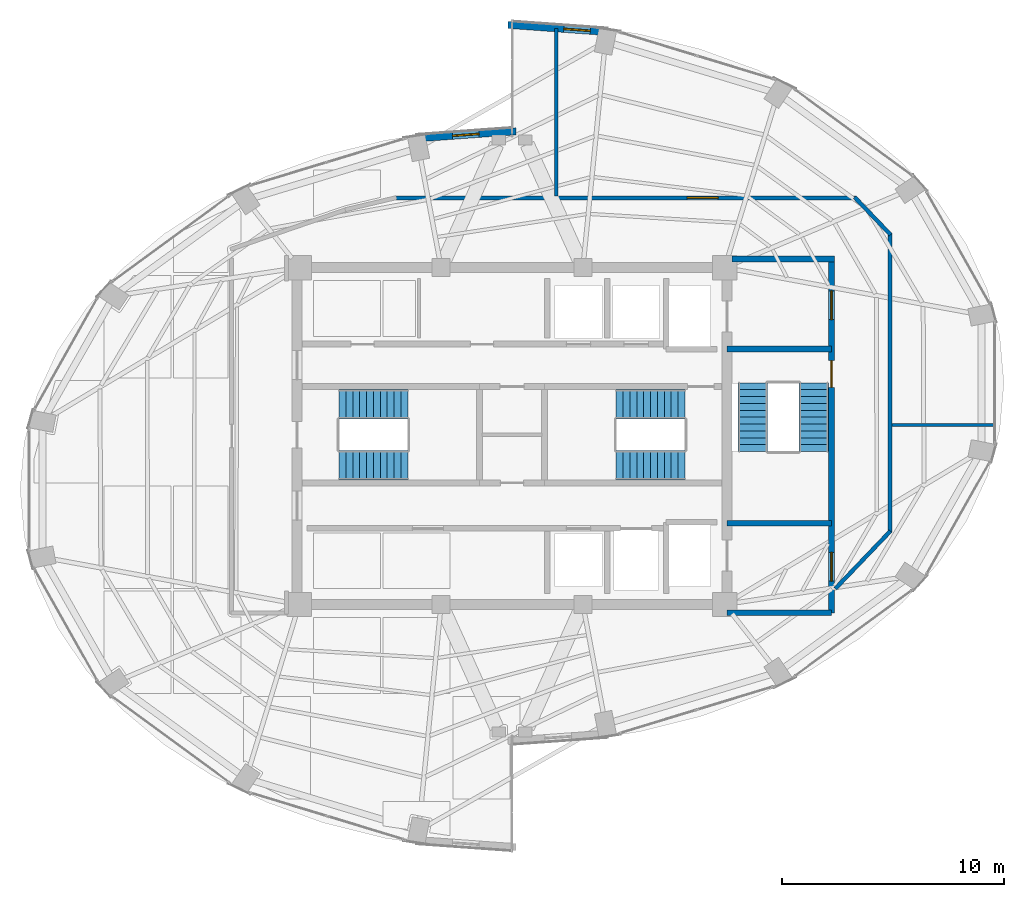
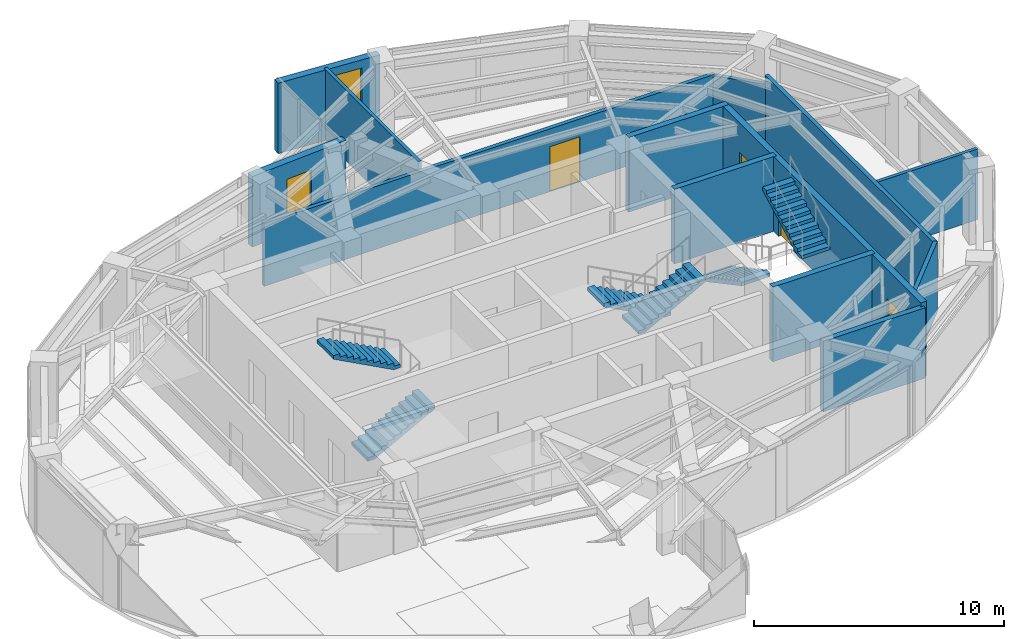
# One storey, part 20 of 22: 13 walls, 6 stair flights, 4 doors, 2 windows, 6 openings, 3 elements without a shape of their own.
"""IFC4 building model written with IfcOpenShell, lengths in metres."""

from ifc_helpers import new_model, si_unit, direction, frame, frame_2d, origin, place, context, subcontext, project, spatial, polyline, rectangle, outline, extrude, material, layer, layer_set, type_object, element, fill, aggregate, save


model = new_model("IFC4")

# Units and contexts
model_context = context("Model", 3, precision=1e-05, world=origin(), true_north=direction((0.0, 1.0)))
body_context = subcontext(model_context, "Body", "Model", "MODEL_VIEW")
ifc_project = project(units=[si_unit("LENGTHUNIT", "METRE"), si_unit("AREAUNIT", "SQUARE_METRE"), si_unit("VOLUMEUNIT", "CUBIC_METRE"), si_unit("PLANEANGLEUNIT", "RADIAN"), si_unit("MASSUNIT", "GRAM", prefix="KILO")], contexts=[model_context])

# Site, building, storey
site_placement = place(None, origin())
site = spatial("IfcSite", under=ifc_project, at=site_placement, CompositionType="ELEMENT")
building_placement = place(site_placement, origin())
building = spatial("IfcBuilding", under=site, at=building_placement, Name="Lazwardi Medical Tower", CompositionType="ELEMENT")
storey_placement = place(building_placement, frame((0.0, 0.0, 255.02392578125)))
storey = spatial("IfcBuildingStorey", under=building, at=storey_placement, Name="L66", CompositionType="ELEMENT", Elevation=255.02392578125)

# Wall, opening, door
ifc_material_1 = material(Name="Fire-rated gypsum board on steel stud", Category="steel")
ifc_layer_1 = layer(ifc_material_1, 0.179931640625)
ifc_layer_set_1 = layer_set([ifc_layer_1], Name="Fire-rated gypsum board on steel stud")
wall_type_1 = type_object("IfcWallType", Name="WL-COR-180", PredefinedType="PARTITIONING", material=ifc_layer_set_1)
wall_1_placement = place(storey_placement, frame((30.709716796875, 38.75, 0.0), z_axis=(0.0, 0.0, 1.0), x_axis=(1.0, 0.0, 0.0)))
wall_1 = element("IfcWall", 1, at=wall_1_placement, inside=storey, type_object=wall_type_1, Name="L66 Corridor partition 3", PredefinedType="PARTITIONING", context=body_context, shape_type="SweptSolid", body=[
    extrude(rectangle(XDim=20.8154296875, YDim=0.179931640625, at=frame_2d((10.40771484375, 0.0))), origin(), (0.0, 0.0, 1.0), 3.072998046875),
])
opening_1_placement = place(wall_1_placement, frame((13.19384765625, 0.0, 0.0)))
opening_1 = element("IfcOpeningElement", 2, at=opening_1_placement, cuts=wall_1, Name="Opening D-L66-011", PredefinedType="OPENING", context=body_context, shape_type="SweptSolid", body=[
    extrude(rectangle(XDim=1.39990234375, YDim=2.199951171875, at=frame_2d((0.699951171875, 1.10009765625))), frame((0.0, 0.099853515625, 0.0), z_axis=(0.0, -1.0, 0.0), x_axis=(1.0, 0.0, 0.0)), (0.0, 0.0, 1.0), 0.199951171875),
])
ifc_material_2 = material(Name="Anti-microbial laminate hospital leaf")
door_type_1 = type_object("IfcDoorType", Name="DR-BED-1400", OperationType="NOTDEFINED", PredefinedType="DOOR", material=ifc_material_2)
door_1_placement = place(opening_1_placement, origin())
door_1 = element("IfcDoor", 3, at=door_1_placement, inside=storey, type_object=door_type_1, Name="L66 Patient Day Lounge Door 02", OperationType="SINGLE_SWING_LEFT", OverallHeight=2.199951171875, OverallWidth=1.39990234375, PredefinedType="DOOR", context=body_context, shape_type="SweptSolid", body=[
    extrude(rectangle(XDim=1.39990234375, YDim=2.199951171875, at=frame_2d((0.699951171875, 1.10009765625))), frame((0.0, 0.02490234375, 0.0), z_axis=(0.0, -1.0, 0.0), x_axis=(1.0, 0.0, 0.0)), (0.0, 0.0, 1.0), 0.050048828125),
])
fill(opening_1, door_1)

# Walls
wall_2_placement = place(storey_placement, frame((51.45751953125, 38.77880859375, 0.0), z_axis=(0.0, 0.0, 1.0), x_axis=(0.691359830363, -0.722510612352, 0.0)))
element("IfcWall", 4, at=wall_2_placement, inside=storey, type_object=wall_type_1, Name="L66 Corridor partition 4", PredefinedType="PARTITIONING", context=body_context, shape_type="SweptSolid", body=[
    extrude(rectangle(XDim=2.34326171875, YDim=0.179931640625, at=frame_2d((1.171630859375, 0.0))), origin(), (0.0, 0.0, 1.0), 3.032958984375),
])
wall_3_placement = place(storey_placement, frame((53.050048828125, 37.154541015625, 0.0), z_axis=(0.0, 0.0, 1.0), x_axis=(0.0, -1.0, 0.0)))
element("IfcWall", 5, at=wall_3_placement, inside=storey, type_object=wall_type_1, Name="L66 Corridor partition 5", PredefinedType="PARTITIONING", context=body_context, shape_type="SweptSolid", body=[
    extrude(rectangle(XDim=13.509033203125, YDim=0.179931640625, at=frame_2d((6.75439453125, 0.0))), origin(), (0.0, 0.0, 1.0), 3.447998046875),
])
wall_4_placement = place(storey_placement, frame((53.07763671875, 23.71435546875, 0.0), z_axis=(0.0, 0.0, 1.0), x_axis=(-0.691353379446, -0.722516785085, 0.0)))
element("IfcWall", 6, at=wall_4_placement, inside=storey, type_object=wall_type_1, Name="L66 Corridor partition 6", PredefinedType="PARTITIONING", context=body_context, shape_type="SweptSolid", body=[
    extrude(rectangle(XDim=3.603759765625, YDim=0.179931640625, at=frame_2d((1.8017578125, 0.0))), origin(), (0.0, 0.0, 1.0), 3.447998046875),
])

# Wall, opening, window
ifc_material_3 = material(Name="Precast concrete C45/55", Category="concrete")
ifc_layer_2 = layer(ifc_material_3, 0.320068359375)
ifc_layer_set_2 = layer_set([ifc_layer_2], Name="Precast concrete C45/55")
wall_type_2 = type_object("IfcWallType", Name="WL-IWAN-320", PredefinedType="SOLIDWALL", material=ifc_layer_set_2)
wall_5_placement = place(storey_placement, frame((40.349609375, 46.226318359375, 0.0), z_axis=(0.0, 0.0, 1.0), x_axis=(-0.997409061056, 0.071938619141, 0.0)))
wall_5 = element("IfcWall", 7, at=wall_5_placement, inside=storey, type_object=wall_type_2, Name="L66 Iwan Portal Return Wall NE_ret", PredefinedType="SOLIDWALL", context=body_context, shape_type="SweptSolid", body=[
    extrude(rectangle(XDim=4.540771484375, YDim=0.320068359375, at=frame_2d((2.2705078125, 0.0))), origin(), (0.0, 0.0, 1.0), 3.447998046875),
])
opening_2_placement = place(wall_5_placement, frame((0.814697265625, 0.0, 0.85009765625)))
opening_2 = element("IfcOpeningElement", 8, at=opening_2_placement, cuts=wall_5, Name="Opening WN-01", PredefinedType="OPENING", context=body_context, shape_type="SweptSolid", body=[
    extrude(rectangle(XDim=1.199951171875, YDim=2.199951171875, at=frame_2d((0.60009765625, 1.10009765625))), frame((0.0, 0.169921875, 0.0), z_axis=(0.0, -1.0, 0.0), x_axis=(1.0, 0.0, 0.0)), (0.0, 0.0, 1.0), 0.340087890625),
])
ifc_material_4 = material(Name="Low-e bronze solar control double glazing", Category="glass")
window_type_1 = type_object("IfcWindowType", Name="WIN-IW-1200", PartitioningType="SINGLE_PANEL", PredefinedType="WINDOW", material=ifc_material_4)
window_1_placement = place(opening_2_placement, origin())
window_1 = element("IfcWindow", 9, at=window_1_placement, inside=storey, type_object=window_type_1, Name="L66 Iwan Slot Window NE_ret", OverallHeight=2.199951171875, OverallWidth=1.199951171875, PartitioningType="SINGLE_PANEL", PredefinedType="WINDOW", context=body_context, shape_type="SweptSolid", body=[
    extrude(rectangle(XDim=1.199951171875, YDim=2.199951171875, at=frame_2d((0.60009765625, 1.10009765625))), frame((0.0, 0.030029296875, 0.0), z_axis=(0.0, -1.0, 0.0), x_axis=(1.0, 0.0, 0.0)), (0.0, 0.0, 1.0), 0.06005859375),
])
fill(opening_2, window_1)

wall_6_placement = place(storey_placement, frame((36.17919921875, 41.7529296875, 0.0), z_axis=(0.0, 0.0, 1.0), x_axis=(-0.997408782787, -0.071942477163, 0.0)))
wall_6 = element("IfcWall", 10, at=wall_6_placement, inside=storey, type_object=wall_type_2, Name="L66 Iwan Portal Return Wall NW_ret", PredefinedType="SOLIDWALL", context=body_context, shape_type="SweptSolid", body=[
    extrude(rectangle(XDim=4.54052734375, YDim=0.320068359375, at=frame_2d((2.270263671875, 0.0))), origin(), (0.0, 0.0, 1.0), 3.447998046875),
])
opening_3_placement = place(wall_6_placement, frame((1.67041015625, 0.0, 0.85009765625)))
opening_3 = element("IfcOpeningElement", 11, at=opening_3_placement, cuts=wall_6, Name="Opening WN-04", PredefinedType="OPENING", context=body_context, shape_type="SweptSolid", body=[
    extrude(rectangle(XDim=1.199951171875, YDim=1.800048828125, at=frame_2d((0.60009765625, 0.89990234375))), frame((0.0, 0.169921875, 0.0), z_axis=(0.0, -1.0, 0.0), x_axis=(1.0, 0.0, 0.0)), (0.0, 0.0, 1.0), 0.340087890625),
])
window_type_2 = type_object("IfcWindowType", Name="WIN-DRUM-1200", PartitioningType="SINGLE_PANEL", PredefinedType="WINDOW", material=ifc_material_4)
window_2_placement = place(opening_3_placement, origin())
window_2 = element("IfcWindow", 12, at=window_2_placement, inside=storey, type_object=window_type_2, Name="L66 Iwan Slot Window NW_ret", OverallHeight=1.800048828125, OverallWidth=1.199951171875, PartitioningType="SINGLE_PANEL", PredefinedType="WINDOW", context=body_context, shape_type="SweptSolid", body=[
    extrude(rectangle(XDim=1.199951171875, YDim=1.800048828125, at=frame_2d((0.60009765625, 0.89990234375))), frame((0.0, 0.030029296875, 0.0), z_axis=(0.0, -1.0, 0.0), x_axis=(1.0, 0.0, 0.0)), (0.0, 0.0, 1.0), 0.06005859375),
])
fill(opening_3, window_2)

# Wall
ifc_material_5 = material(Name="Autoclaved aerated concrete blockwork", Category="masonry")
ifc_layer_3 = layer(ifc_material_5, 0.25)
ifc_layer_set_3 = layer_set([ifc_layer_3], Name="Autoclaved aerated concrete blockwork")
wall_type_3 = type_object("IfcWallType", Name="WL-SHAFT-250", PredefinedType="SOLIDWALL", material=ifc_layer_set_3)
wall_7_placement = place(storey_placement, frame((45.699951171875, 20.02001953125, 0.0), z_axis=(0.0, 0.0, 1.0), x_axis=(1.0, 0.0, 0.0)))
element("IfcWall", 13, at=wall_7_placement, inside=storey, type_object=wall_type_3, Name="L66 FFL-S South wall", PredefinedType="SOLIDWALL", context=body_context, shape_type="SweptSolid", body=[
    extrude(rectangle(XDim=4.715087890625, YDim=0.25, at=frame_2d((2.357421875, 0.0))), origin(), (0.0, 0.0, 1.0), 3.447998046875),
])

# Wall, openings, doors
ifc_material_6 = material(Name="Concrete C50/60", Category="concrete")
ifc_layer_4 = layer(ifc_material_6, 0.27001953125)
ifc_layer_set_4 = layer_set([ifc_layer_4], Name="Concrete C50/60")
wall_type_4 = type_object("IfcWallType", Name="WL-STR-250", PredefinedType="SHEAR", material=ifc_layer_set_4)
wall_8_placement = place(storey_placement, frame((50.4150390625, 35.844970703125, 0.0), z_axis=(0.0, 0.0, 1.0), x_axis=(0.0, -1.0, 0.0)))
wall_8 = element("IfcWall", 14, at=wall_8_placement, inside=storey, type_object=wall_type_4, Name="L66 East ST3 & FFL shear wall SW-S1", PredefinedType="SHEAR", context=body_context, shape_type="SweptSolid", body=[
    extrude(rectangle(XDim=15.824951171875, YDim=0.27001953125, at=frame_2d((7.91259765625, 0.0))), origin(), (0.0, 0.0, 1.0), 3.648193359375),
])
opening_4_placement = place(wall_8_placement, frame((4.445068359375, 0.0, 0.0)))
opening_4 = element("IfcOpeningElement", 15, at=opening_4_placement, cuts=wall_8, Name="Opening D-L66-014", PredefinedType="OPENING", context=body_context, shape_type="SweptSolid", body=[
    extrude(rectangle(XDim=1.199951171875, YDim=2.14990234375, at=frame_2d((0.60009765625, 1.074951171875))), frame((0.0, 0.14501953125, 0.0), z_axis=(0.0, -1.0, 0.0), x_axis=(1.0, 0.0, 0.0)), (0.0, 0.0, 1.0), 0.2900390625),
])
opening_5_placement = place(wall_8_placement, frame((1.294921875, 0.0, 0.0)))
opening_5 = element("IfcOpeningElement", 16, at=opening_5_placement, cuts=wall_8, Name="Opening D-L66-006", PredefinedType="OPENING", context=body_context, shape_type="SweptSolid", body=[
    extrude(rectangle(XDim=1.300048828125, YDim=2.199951171875, at=frame_2d((0.64990234375, 1.10009765625))), frame((0.0, 0.14501953125, 0.0), z_axis=(0.0, -1.0, 0.0), x_axis=(1.0, 0.0, 0.0)), (0.0, 0.0, 1.0), 0.2900390625),
])
opening_6_placement = place(wall_8_placement, frame((13.094970703125, 0.0, 0.0)))
opening_6 = element("IfcOpeningElement", 17, at=opening_6_placement, cuts=wall_8, Name="Opening D-L66-007", PredefinedType="OPENING", context=body_context, shape_type="SweptSolid", body=[
    extrude(rectangle(XDim=1.300048828125, YDim=2.199951171875, at=frame_2d((0.64990234375, 1.10009765625))), frame((0.0, 0.14501953125, 0.0), z_axis=(0.0, -1.0, 0.0), x_axis=(1.0, 0.0, 0.0)), (0.0, 0.0, 1.0), 0.2900390625),
])
ifc_material_7 = material(Name="Fire-rated steel leaf and frame", Category="steel")
door_type_2 = type_object("IfcDoorType", Name="DR-FFL-1300", OperationType="NOTDEFINED", PredefinedType="DOOR", material=ifc_material_7)
door_2_placement = place(opening_5_placement, origin())
door_2 = element("IfcDoor", 18, at=door_2_placement, inside=storey, type_object=door_type_2, Name="L66 Fire-Fighting Lobby North Door", OperationType="SINGLE_SWING_RIGHT", OverallHeight=2.199951171875, OverallWidth=1.300048828125, PredefinedType="DOOR", context=body_context, shape_type="SweptSolid", body=[
    extrude(rectangle(XDim=1.300048828125, YDim=2.199951171875, at=frame_2d((0.64990234375, 1.10009765625))), frame((0.0, 0.02490234375, 0.0), z_axis=(0.0, -1.0, 0.0), x_axis=(1.0, 0.0, 0.0)), (0.0, 0.0, 1.0), 0.050048828125),
])
fill(opening_5, door_2)
door_3_placement = place(opening_6_placement, origin())
door_3 = element("IfcDoor", 19, at=door_3_placement, inside=storey, type_object=door_type_2, Name="L66 Fire-Fighting Lobby South Door", OperationType="SINGLE_SWING_LEFT", OverallHeight=2.199951171875, OverallWidth=1.300048828125, PredefinedType="DOOR", context=body_context, shape_type="SweptSolid", body=[
    extrude(rectangle(XDim=1.300048828125, YDim=2.199951171875, at=frame_2d((0.64990234375, 1.10009765625))), frame((0.0, 0.02490234375, 0.0), z_axis=(0.0, -1.0, 0.0), x_axis=(1.0, 0.0, 0.0)), (0.0, 0.0, 1.0), 0.050048828125),
])
fill(opening_6, door_3)
door_type_3 = type_object("IfcDoorType", Name="DR-STR-1200", OperationType="NOTDEFINED", PredefinedType="DOOR", material=ifc_material_7)
door_4_placement = place(opening_4_placement, origin())
door_4 = element("IfcDoor", 20, at=door_4_placement, inside=storey, type_object=door_type_3, Name="L66 Exit Stair ST3 Door", OperationType="SINGLE_SWING_LEFT", OverallHeight=2.14990234375, OverallWidth=1.199951171875, PredefinedType="DOOR", context=body_context, shape_type="SweptSolid", body=[
    extrude(rectangle(XDim=1.199951171875, YDim=2.14990234375, at=frame_2d((0.60009765625, 1.074951171875))), frame((0.0, 0.02490234375, 0.0), z_axis=(0.0, -1.0, 0.0), x_axis=(1.0, 0.0, 0.0)), (0.0, 0.0, 1.0), 0.050048828125),
])
fill(opening_4, door_4)

# Walls
wall_9_placement = place(storey_placement, frame((45.925048828125, 35.97998046875, 0.0), z_axis=(0.0, 0.0, 1.0), x_axis=(1.0, 0.0, 0.0)))
element("IfcWall", 21, at=wall_9_placement, inside=storey, type_object=wall_type_4, Name="L66 FFL-N North shear wall SW-S1", PredefinedType="SHEAR", context=body_context, shape_type="SweptSolid", body=[
    extrude(rectangle(XDim=4.625, YDim=0.27001953125, at=frame_2d((2.3125, 0.0))), origin(), (0.0, 0.0, 1.0), 3.648193359375),
])
for number, where, z_axis, x_axis, name in (
    (22, (45.699951171875, 31.93505859375, 0.0), (0.0, 0.0, 1.0), (1.0, 0.0, 0.0), "L66 ST3 North shear shaft wall SW-S1"),
    (23, (45.699951171875, 24.06494140625, 0.0), (0.0, 0.0, 1.0), (1.0, 0.0, 0.0), "L66 ST3 South shear shaft wall SW-S1"),
):
    element("IfcWall", number, at=place(storey_placement, frame(where, z_axis=z_axis, x_axis=x_axis)), inside=storey, type_object=wall_type_4, Name=name, PredefinedType="SHEAR", context=body_context, shape_type="SweptSolid", body=[
        extrude(rectangle(XDim=4.715087890625, YDim=0.27001953125, at=frame_2d((2.357421875, 0.0))), origin(), (0.0, 0.0, 1.0), 3.648193359375),
    ])
ifc_material_8 = material(Name="Acoustic gypsum board partition")
ifc_layer_5 = layer(ifc_material_8, 0.14990234375)
ifc_layer_set_5 = layer_set([ifc_layer_5], Name="Acoustic gypsum board partition")
wall_type_5 = type_object("IfcWallType", Name="WL-WRD-150", PredefinedType="PARTITIONING", material=ifc_layer_set_5)
wall_10_placement = place(storey_placement, frame((53.139892578125, 28.5, 0.0), z_axis=(0.0, 0.0, 1.0), x_axis=(1.0, 0.0, 0.0)))
element("IfcWall", 24, at=wall_10_placement, inside=storey, type_object=wall_type_5, Name="L66 Room partition 1", PredefinedType="PARTITIONING", context=body_context, shape_type="SweptSolid", body=[
    extrude(rectangle(XDim=4.6318359375, YDim=0.14990234375, at=frame_2d((2.31591796875, 0.0))), origin(), (0.0, 0.0, 1.0), 3.447998046875),
])
wall_11_placement = place(storey_placement, frame((38.0, 38.840087890625, 0.0), z_axis=(0.0, 0.0, 1.0), x_axis=(0.0, 1.0, 0.0)))
element("IfcWall", 25, at=wall_11_placement, inside=storey, type_object=wall_type_5, Name="L66 Room partition 2", PredefinedType="PARTITIONING", context=body_context, shape_type="SweptSolid", body=[
    extrude(rectangle(XDim=7.543212890625, YDim=0.14990234375, at=frame_2d((3.771484375, 0.0))), origin(), (0.0, 0.0, 1.0), 3.447998046875),
])

# Stair, stair flights
ifc_material_9 = material(Name="Concrete C45/55", Category="concrete")
stair_type = type_object("IfcStairType", Name="STR-WRD", PredefinedType="HALF_TURN_STAIR", material=ifc_material_9)
stair_1_placement = place(storey_placement, origin())
stair_1 = element("IfcStair", 26, at=stair_1_placement, inside=storey, type_object=stair_type, Name="L66 Protected Exit Stair ST1", PredefinedType="HALF_TURN_STAIR")
stair_flight_type = type_object("IfcStairFlightType", Name="FLT-WRD", PredefinedType="STRAIGHT", material=ifc_material_9)
stair_flight_1_placement = place(storey_placement, frame((28.199951171875, 26.679931640625, 0.0), z_axis=(0.0, 0.0, 1.0), x_axis=(1.0, 0.0, 0.0)))
stair_flight_1 = element("IfcStairFlight", 27, at=stair_flight_1_placement, type_object=stair_flight_type, Name="ST1 flight 1", NumberOfRisers=11, NumberOfTreads=10, PredefinedType="STRAIGHT", RiserHeight=0.165818182, TreadLength=0.31, context=body_context, shape_type="SweptSolid", body=[
    extrude(outline(polyline([(0.0, 0.0), (0.0, 0.165771484375), (0.31005859375, 0.165771484375), (0.31005859375, 0.33154296875), (0.6201171875, 0.33154296875), (0.6201171875, 0.49755859375), (0.929931640625, 0.49755859375), (0.929931640625, 0.663330078125), (1.239990234375, 0.663330078125), (1.239990234375, 0.8291015625), (1.550048828125, 0.8291015625), (1.550048828125, 0.994873046875), (1.860107421875, 0.994873046875), (1.860107421875, 1.16064453125), (2.169921875, 1.16064453125), (2.169921875, 1.32666015625), (2.47998046875, 1.32666015625), (2.47998046875, 1.492431640625), (2.7900390625, 1.492431640625), (2.7900390625, 1.658203125), (3.10009765625, 1.658203125), (3.10009765625, 1.823974609375), (3.10009765625, 1.48828125), (0.31787109375, 0.0), (0.0, 0.0)])), frame((0.0, 0.66015625, 0.0), z_axis=(0.0, -1.0, 0.0), x_axis=(1.0, 0.0, 0.0)), (0.0, 0.0, 1.0), 1.320068359375),
])
stair_flight_2_placement = place(storey_placement, frame((31.300048828125, 29.43994140625, 1.823974609375), z_axis=(0.0, 0.0, 1.0), x_axis=(-1.0, 0.0, 0.0)))
stair_flight_2 = element("IfcStairFlight", 28, at=stair_flight_2_placement, type_object=stair_flight_type, Name="ST1 flight 2", NumberOfRisers=11, NumberOfTreads=10, PredefinedType="STRAIGHT", RiserHeight=0.165818182, TreadLength=0.31, context=body_context, shape_type="SweptSolid", body=[
    extrude(outline(polyline([(0.0, 0.0), (0.0, 0.165771484375), (0.31005859375, 0.165771484375), (0.31005859375, 0.33154296875), (0.6201171875, 0.33154296875), (0.6201171875, 0.49755859375), (0.929931640625, 0.49755859375), (0.929931640625, 0.663330078125), (1.239990234375, 0.663330078125), (1.239990234375, 0.8291015625), (1.550048828125, 0.8291015625), (1.550048828125, 0.994873046875), (1.860107421875, 0.994873046875), (1.860107421875, 1.16064453125), (2.169921875, 1.16064453125), (2.169921875, 1.32666015625), (2.47998046875, 1.32666015625), (2.47998046875, 1.492431640625), (2.7900390625, 1.492431640625), (2.7900390625, 1.658203125), (3.10009765625, 1.658203125), (3.10009765625, 1.823974609375), (3.10009765625, 1.48828125), (0.31787109375, 0.0), (0.0, 0.0)])), frame((0.0, 0.66015625, 0.0), z_axis=(0.0, -1.0, 0.0), x_axis=(1.0, 0.0, 0.0)), (0.0, 0.0, 1.0), 1.320068359375),
])
aggregate(stair_1, [stair_flight_1, stair_flight_2])

stair_2_placement = place(storey_placement, origin())
stair_2 = element("IfcStair", 29, at=stair_2_placement, inside=storey, type_object=stair_type, Name="L66 Protected Exit Stair ST2", PredefinedType="HALF_TURN_STAIR")
stair_flight_3_placement = place(storey_placement, frame((43.800048828125, 29.43994140625, 0.0), z_axis=(0.0, 0.0, 1.0), x_axis=(-1.0, 0.0, 0.0)))
stair_flight_3 = element("IfcStairFlight", 30, at=stair_flight_3_placement, type_object=stair_flight_type, Name="ST2 flight 1", NumberOfRisers=11, NumberOfTreads=10, PredefinedType="STRAIGHT", RiserHeight=0.165818182, TreadLength=0.31, context=body_context, shape_type="SweptSolid", body=[
    extrude(outline(polyline([(0.0, 0.0), (0.0, 0.165771484375), (0.31005859375, 0.165771484375), (0.31005859375, 0.33154296875), (0.6201171875, 0.33154296875), (0.6201171875, 0.49755859375), (0.929931640625, 0.49755859375), (0.929931640625, 0.663330078125), (1.239990234375, 0.663330078125), (1.239990234375, 0.8291015625), (1.550048828125, 0.8291015625), (1.550048828125, 0.994873046875), (1.860107421875, 0.994873046875), (1.860107421875, 1.16064453125), (2.169921875, 1.16064453125), (2.169921875, 1.32666015625), (2.47998046875, 1.32666015625), (2.47998046875, 1.492431640625), (2.7900390625, 1.492431640625), (2.7900390625, 1.658203125), (3.10009765625, 1.658203125), (3.10009765625, 1.823974609375), (3.10009765625, 1.48828125), (0.31787109375, 0.0), (0.0, 0.0)])), frame((0.0, 0.66015625, 0.0), z_axis=(0.0, -1.0, 0.0), x_axis=(1.0, 0.0, 0.0)), (0.0, 0.0, 1.0), 1.320068359375),
])
stair_flight_4_placement = place(storey_placement, frame((40.699951171875, 26.679931640625, 1.823974609375), z_axis=(0.0, 0.0, 1.0), x_axis=(1.0, 0.0, 0.0)))
stair_flight_4 = element("IfcStairFlight", 31, at=stair_flight_4_placement, type_object=stair_flight_type, Name="ST2 flight 2", NumberOfRisers=11, NumberOfTreads=10, PredefinedType="STRAIGHT", RiserHeight=0.165818182, TreadLength=0.31, context=body_context, shape_type="SweptSolid", body=[
    extrude(outline(polyline([(0.0, 0.0), (0.0, 0.165771484375), (0.31005859375, 0.165771484375), (0.31005859375, 0.33154296875), (0.6201171875, 0.33154296875), (0.6201171875, 0.49755859375), (0.929931640625, 0.49755859375), (0.929931640625, 0.663330078125), (1.239990234375, 0.663330078125), (1.239990234375, 0.8291015625), (1.550048828125, 0.8291015625), (1.550048828125, 0.994873046875), (1.860107421875, 0.994873046875), (1.860107421875, 1.16064453125), (2.169921875, 1.16064453125), (2.169921875, 1.32666015625), (2.47998046875, 1.32666015625), (2.47998046875, 1.492431640625), (2.7900390625, 1.492431640625), (2.7900390625, 1.658203125), (3.10009765625, 1.658203125), (3.10009765625, 1.823974609375), (3.10009765625, 1.48828125), (0.31787109375, 0.0), (0.0, 0.0)])), frame((0.0, 0.66015625, 0.0), z_axis=(0.0, -1.0, 0.0), x_axis=(1.0, 0.0, 0.0)), (0.0, 0.0, 1.0), 1.320068359375),
])
aggregate(stair_2, [stair_flight_3, stair_flight_4])

stair_3_placement = place(storey_placement, origin())
stair_3 = element("IfcStair", 32, at=stair_3_placement, inside=storey, type_object=stair_type, Name="L66 Protected Exit Stair ST3", PredefinedType="HALF_TURN_STAIR")
stair_flight_5_placement = place(storey_placement, frame((46.860107421875, 30.39990234375, 0.0), z_axis=(0.0, 0.0, 1.0), x_axis=(0.0, -1.0, 0.0)))
stair_flight_5 = element("IfcStairFlight", 33, at=stair_flight_5_placement, type_object=stair_flight_type, Name="ST3 flight 1", NumberOfRisers=11, NumberOfTreads=10, PredefinedType="STRAIGHT", RiserHeight=0.165818182, TreadLength=0.31, context=body_context, shape_type="SweptSolid", body=[
    extrude(outline(polyline([(0.0, 0.0), (0.0, 0.165771484375), (0.31005859375, 0.165771484375), (0.31005859375, 0.33154296875), (0.6201171875, 0.33154296875), (0.6201171875, 0.49755859375), (0.929931640625, 0.49755859375), (0.929931640625, 0.663330078125), (1.239990234375, 0.663330078125), (1.239990234375, 0.8291015625), (1.550048828125, 0.8291015625), (1.550048828125, 0.994873046875), (1.860107421875, 0.994873046875), (1.860107421875, 1.16064453125), (2.169921875, 1.16064453125), (2.169921875, 1.32666015625), (2.47998046875, 1.32666015625), (2.47998046875, 1.492431640625), (2.7900390625, 1.492431640625), (2.7900390625, 1.658203125), (3.10009765625, 1.658203125), (3.10009765625, 1.823974609375), (3.10009765625, 1.48828125), (0.31787109375, 0.0), (0.0, 0.0)])), frame((0.0, 0.66015625, 0.0), z_axis=(0.0, -1.0, 0.0), x_axis=(1.0, 0.0, 0.0)), (0.0, 0.0, 1.0), 1.320068359375),
])
stair_flight_6_placement = place(storey_placement, frame((49.6201171875, 27.300048828125, 1.823974609375), z_axis=(0.0, 0.0, 1.0), x_axis=(0.0, 1.0, 0.0)))
stair_flight_6 = element("IfcStairFlight", 34, at=stair_flight_6_placement, type_object=stair_flight_type, Name="ST3 flight 2", NumberOfRisers=11, NumberOfTreads=10, PredefinedType="STRAIGHT", RiserHeight=0.165818182, TreadLength=0.31, context=body_context, shape_type="SweptSolid", body=[
    extrude(outline(polyline([(0.0, 0.0), (0.0, 0.165771484375), (0.31005859375, 0.165771484375), (0.31005859375, 0.33154296875), (0.6201171875, 0.33154296875), (0.6201171875, 0.49755859375), (0.929931640625, 0.49755859375), (0.929931640625, 0.663330078125), (1.239990234375, 0.663330078125), (1.239990234375, 0.8291015625), (1.550048828125, 0.8291015625), (1.550048828125, 0.994873046875), (1.860107421875, 0.994873046875), (1.860107421875, 1.16064453125), (2.169921875, 1.16064453125), (2.169921875, 1.32666015625), (2.47998046875, 1.32666015625), (2.47998046875, 1.492431640625), (2.7900390625, 1.492431640625), (2.7900390625, 1.658203125), (3.10009765625, 1.658203125), (3.10009765625, 1.823974609375), (3.10009765625, 1.48828125), (0.31787109375, 0.0), (0.0, 0.0)])), frame((0.0, 0.66015625, 0.0), z_axis=(0.0, -1.0, 0.0), x_axis=(1.0, 0.0, 0.0)), (0.0, 0.0, 1.0), 1.320068359375),
])
aggregate(stair_3, [stair_flight_5, stair_flight_6])

save(model, "model.ifc")
